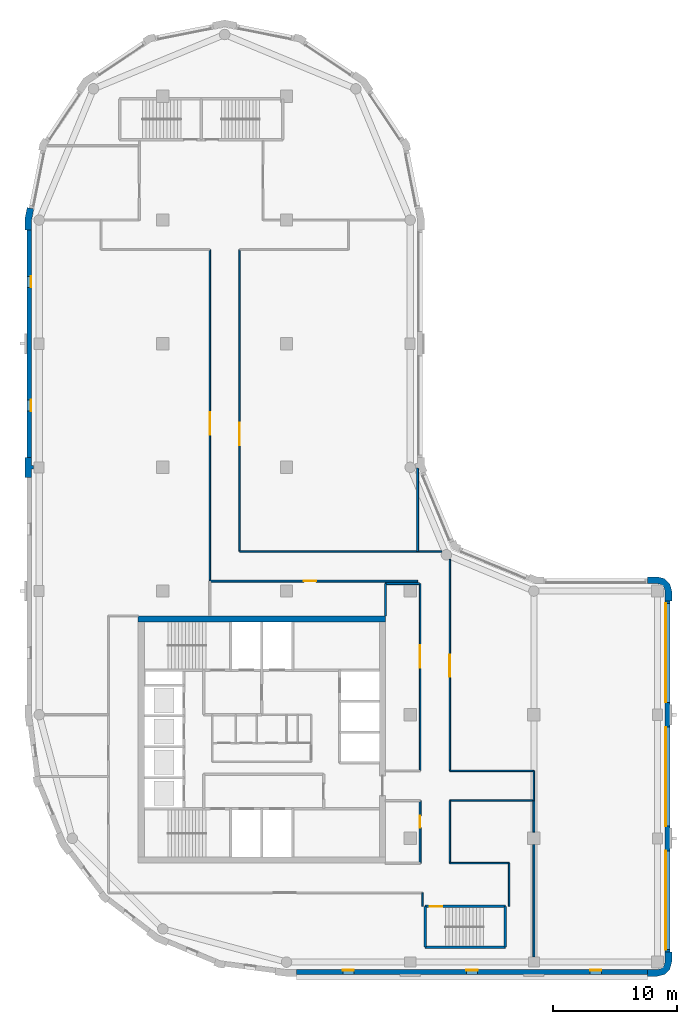
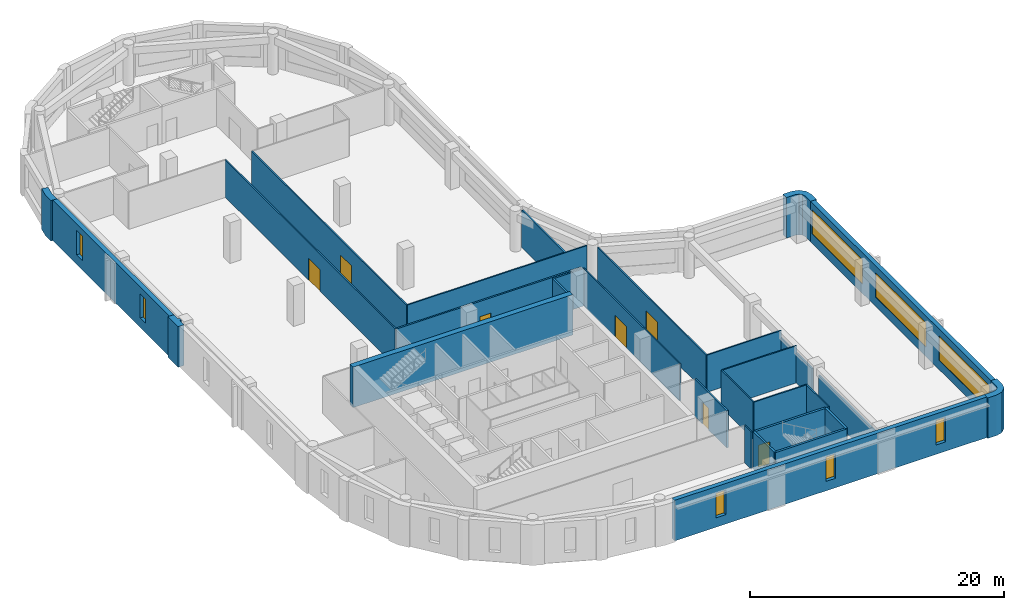
# One storey, part 4 of 8: 31 walls, 8 windows, 7 doors, 15 openings.
"""IFC4 building model written with IfcOpenShell, lengths in metres."""

from ifc_helpers import new_model, si_unit, direction, frame, frame_2d, origin, place, context, subcontext, project, spatial, polyline, rectangle, outline, extrude, material, layer, layer_set, type_object, element, fill, save


model = new_model("IFC4")

# Units and contexts
model_context = context("Model", 3, precision=1e-05, world=origin(), true_north=direction((0.0, 1.0)))
body_context = subcontext(model_context, "Body", "Model", "MODEL_VIEW")
ifc_project = project(units=[si_unit("LENGTHUNIT", "METRE"), si_unit("AREAUNIT", "SQUARE_METRE"), si_unit("VOLUMEUNIT", "CUBIC_METRE"), si_unit("PLANEANGLEUNIT", "RADIAN"), si_unit("MASSUNIT", "GRAM", prefix="KILO")], contexts=[model_context])

# Site, building, storey
site_placement = place(None, origin())
site = spatial("IfcSite", under=ifc_project, at=site_placement, CompositionType="ELEMENT")
building_placement = place(site_placement, origin())
building = spatial("IfcBuilding", under=site, at=building_placement, Name="Qaws Garden Tower", CompositionType="ELEMENT")
storey_placement = place(building_placement, frame((0.0, 0.0, 274.800048828125)))
storey = spatial("IfcBuildingStorey", under=building, at=storey_placement, Name="L66", CompositionType="ELEMENT", Elevation=274.800048828125)

# Walls
ifc_material_1 = material(Name="Buff clay facing brick masonry", Category="masonry")
ifc_layer_1 = layer(ifc_material_1, 0.550048828125)
ifc_layer_set_1 = layer_set([ifc_layer_1], Name="Buff clay facing brick masonry")
wall_type_1 = type_object("IfcWallType", Name="Buff brick corner pier 550 x 2400", PredefinedType="SOLIDWALL", material=ifc_layer_set_1)
placement = place(storey_placement, origin())
element("IfcWall", 1, at=placement, inside=storey, type_object=wall_type_1, Name="E-L66-pier-03", PredefinedType="SOLIDWALL", context=body_context, shape_type="SweptSolid", body=[
    extrude(outline(polyline([(49.199951171875, -1.0), (49.199951171875, -1.14990234375), (50.0, -1.14990234375), (50.574951171875, -0.995849609375), (50.995849609375, -0.574951171875), (51.14990234375, 0.0), (51.14990234375, 0.800048828125), (51.0, 0.800048828125), (50.60009765625, 0.800048828125), (50.60009765625, 0.0), (50.51953125, -0.300048828125), (50.300048828125, -0.51953125), (50.0, -0.60009765625), (49.199951171875, -0.60009765625), (49.199951171875, -1.0)])), origin(), (0.0, 0.0, 1.0), 3.89990234375),
])
element("IfcWall", 2, at=placement, inside=storey, type_object=wall_type_1, Name="E-L66-pier-06", PredefinedType="SOLIDWALL", context=body_context, shape_type="SweptSolid", body=[
    extrude(outline(polyline([(51.0, 29.199951171875), (51.14990234375, 29.199951171875), (51.14990234375, 30.0), (50.995849609375, 30.574951171875), (50.574951171875, 30.995849609375), (50.0, 31.14990234375), (49.199951171875, 31.14990234375), (49.199951171875, 31.0), (49.199951171875, 30.60009765625), (50.0, 30.60009765625), (50.300048828125, 30.51953125), (50.51953125, 30.300048828125), (50.60009765625, 30.0), (50.60009765625, 29.199951171875), (51.0, 29.199951171875)])), origin(), (0.0, 0.0, 1.0), 3.89990234375),
])

# Wall, openings, windows
ifc_material_2 = material(Name="Buff clay facing brick masonry", Category="masonry")
ifc_layer_2 = layer(ifc_material_2, 0.39990234375)
ifc_layer_set_2 = layer_set([ifc_layer_2], Name="Buff clay facing brick masonry")
wall_type_2 = type_object("IfcWallType", Name="Buff brick infill wall 400", PredefinedType="SOLIDWALL", material=ifc_layer_set_2)
wall_3_placement = place(storey_placement, frame((20.800048828125, -0.800048828125, 0.0), z_axis=(0.0, 0.0, 1.0), x_axis=(1.0, 0.0, 0.0)))
wall_3 = element("IfcWall", 3, at=wall_3_placement, inside=storey, type_object=wall_type_2, Name="E-L66-infill-00", PredefinedType="SOLIDWALL", context=body_context, shape_type="SweptSolid", body=[
    extrude(rectangle(XDim=28.39990234375, YDim=0.39990234375, at=frame_2d((14.199951171875, 0.0))), origin(), (0.0, 0.0, 1.0), 3.89990234375),
])
opening_1_placement = place(wall_3_placement, frame((3.75, 0.0, 0.89990234375)))
opening_1 = element("IfcOpeningElement", 4, at=opening_1_placement, cuts=wall_3, Name="Opening W09", PredefinedType="OPENING", context=body_context, shape_type="SweptSolid", body=[
    extrude(rectangle(XDim=0.89990234375, YDim=2.35009765625, at=frame_2d((0.449951171875, 1.175048828125))), frame((0.0, 0.2099609375, 0.0), z_axis=(0.0, -1.0, 0.0), x_axis=(1.0, 0.0, 0.0)), (0.0, 0.0, 1.0), 0.419921875),
])
opening_2_placement = place(wall_3_placement, frame((13.75, 0.0, 0.89990234375)))
opening_2 = element("IfcOpeningElement", 5, at=opening_2_placement, cuts=wall_3, Name="Opening W09", PredefinedType="OPENING", context=body_context, shape_type="SweptSolid", body=[
    extrude(rectangle(XDim=0.89990234375, YDim=2.35009765625, at=frame_2d((0.449951171875, 1.175048828125))), frame((0.0, 0.2099609375, 0.0), z_axis=(0.0, -1.0, 0.0), x_axis=(1.0, 0.0, 0.0)), (0.0, 0.0, 1.0), 0.419921875),
])
opening_3_placement = place(wall_3_placement, frame((23.75, 0.0, 0.89990234375)))
opening_3 = element("IfcOpeningElement", 6, at=opening_3_placement, cuts=wall_3, Name="Opening W09", PredefinedType="OPENING", context=body_context, shape_type="SweptSolid", body=[
    extrude(rectangle(XDim=0.89990234375, YDim=2.35009765625, at=frame_2d((0.449951171875, 1.175048828125))), frame((0.0, 0.2099609375, 0.0), z_axis=(0.0, -1.0, 0.0), x_axis=(1.0, 0.0, 0.0)), (0.0, 0.0, 1.0), 0.419921875),
])
ifc_material_3 = material(Name="Aluminium framed window, clear glazing", Category="aluminium")
window_type_1 = type_object("IfcWindowType", Name="Slit window 900 x 2350", PartitioningType="SINGLE_PANEL", PredefinedType="WINDOW", material=ifc_material_3)
window_1_placement = place(opening_1_placement, origin())
window_1 = element("IfcWindow", 7, at=window_1_placement, inside=storey, type_object=window_type_1, Name="E-L66-window-00-0", OverallHeight=2.35009765625, OverallWidth=0.89990234375, PartitioningType="SINGLE_PANEL", PredefinedType="WINDOW", context=body_context, shape_type="SweptSolid", body=[
    extrude(rectangle(XDim=0.89990234375, YDim=2.35009765625, at=frame_2d((0.449951171875, 1.175048828125))), frame((0.0, 0.159912109375, 0.0), z_axis=(0.0, -1.0, 0.0), x_axis=(1.0, 0.0, 0.0)), (0.0, 0.0, 1.0), 0.06005859375),
])
fill(opening_1, window_1)
window_2_placement = place(opening_2_placement, origin())
window_2 = element("IfcWindow", 8, at=window_2_placement, inside=storey, type_object=window_type_1, Name="E-L66-window-01-0", OverallHeight=2.35009765625, OverallWidth=0.89990234375, PartitioningType="SINGLE_PANEL", PredefinedType="WINDOW", context=body_context, shape_type="SweptSolid", body=[
    extrude(rectangle(XDim=0.89990234375, YDim=2.35009765625, at=frame_2d((0.449951171875, 1.175048828125))), frame((0.0, 0.159912109375, 0.0), z_axis=(0.0, -1.0, 0.0), x_axis=(1.0, 0.0, 0.0)), (0.0, 0.0, 1.0), 0.06005859375),
])
fill(opening_2, window_2)
window_3_placement = place(opening_3_placement, origin())
window_3 = element("IfcWindow", 9, at=window_3_placement, inside=storey, type_object=window_type_1, Name="E-L66-window-02-0", OverallHeight=2.35009765625, OverallWidth=0.89990234375, PartitioningType="SINGLE_PANEL", PredefinedType="WINDOW", context=body_context, shape_type="SweptSolid", body=[
    extrude(rectangle(XDim=0.89990234375, YDim=2.35009765625, at=frame_2d((0.449951171875, 1.175048828125))), frame((0.0, 0.159912109375, 0.0), z_axis=(0.0, -1.0, 0.0), x_axis=(1.0, 0.0, 0.0)), (0.0, 0.0, 1.0), 0.06005859375),
])
fill(opening_3, window_3)

wall_4_placement = place(storey_placement, frame((50.800048828125, 0.800048828125, 0.0), z_axis=(0.0, 0.0, 1.0), x_axis=(0.0, 1.0, 0.0)))
wall_4 = element("IfcWall", 10, at=wall_4_placement, inside=storey, type_object=wall_type_2, Name="E-L66-infill-03", PredefinedType="SOLIDWALL", context=body_context, shape_type="SweptSolid", body=[
    extrude(rectangle(XDim=28.39990234375, YDim=0.39990234375, at=frame_2d((14.199951171875, 0.0))), origin(), (0.0, 0.0, 1.0), 3.89990234375),
])
opening_4_placement = place(wall_4_placement, frame((0.199951171875, 0.0, 0.89990234375)))
opening_4 = element("IfcOpeningElement", 11, at=opening_4_placement, cuts=wall_4, Name="Opening W01", PredefinedType="OPENING", context=body_context, shape_type="SweptSolid", body=[
    extrude(rectangle(XDim=8.0, YDim=2.35009765625, at=frame_2d((4.0, 1.175048828125))), frame((0.0, 0.2099609375, 0.0), z_axis=(0.0, -1.0, 0.0), x_axis=(1.0, 0.0, 0.0)), (0.0, 0.0, 1.0), 0.419921875),
])
opening_5_placement = place(wall_4_placement, frame((10.199951171875, 0.0, 0.89990234375)))
opening_5 = element("IfcOpeningElement", 12, at=opening_5_placement, cuts=wall_4, Name="Opening W01", PredefinedType="OPENING", context=body_context, shape_type="SweptSolid", body=[
    extrude(rectangle(XDim=8.0, YDim=2.35009765625, at=frame_2d((4.0, 1.175048828125))), frame((0.0, 0.2099609375, 0.0), z_axis=(0.0, -1.0, 0.0), x_axis=(1.0, 0.0, 0.0)), (0.0, 0.0, 1.0), 0.419921875),
])
opening_6_placement = place(wall_4_placement, frame((20.199951171875, 0.0, 0.89990234375)))
opening_6 = element("IfcOpeningElement", 13, at=opening_6_placement, cuts=wall_4, Name="Opening W01", PredefinedType="OPENING", context=body_context, shape_type="SweptSolid", body=[
    extrude(rectangle(XDim=8.0, YDim=2.35009765625, at=frame_2d((4.0, 1.175048828125))), frame((0.0, 0.2099609375, 0.0), z_axis=(0.0, -1.0, 0.0), x_axis=(1.0, 0.0, 0.0)), (0.0, 0.0, 1.0), 0.419921875),
])
ifc_material_4 = material(Name="Aluminium framed window, clear glazing", Category="aluminium")
window_type_2 = type_object("IfcWindowType", Name="Ribbon window 8000 x 2350", PartitioningType="DOUBLE_PANEL_VERTICAL", PredefinedType="WINDOW", material=ifc_material_4)
window_4_placement = place(opening_4_placement, origin())
window_4 = element("IfcWindow", 14, at=window_4_placement, inside=storey, type_object=window_type_2, Name="E-L66-window-03-0", OverallHeight=2.35009765625, OverallWidth=8.0, PartitioningType="SINGLE_PANEL", PredefinedType="WINDOW", context=body_context, shape_type="SweptSolid", body=[
    extrude(rectangle(XDim=8.0, YDim=2.35009765625, at=frame_2d((4.0, 1.175048828125))), frame((0.0, 0.159912109375, 0.0), z_axis=(0.0, -1.0, 0.0), x_axis=(1.0, 0.0, 0.0)), (0.0, 0.0, 1.0), 0.06005859375),
])
fill(opening_4, window_4)
window_5_placement = place(opening_5_placement, origin())
window_5 = element("IfcWindow", 15, at=window_5_placement, inside=storey, type_object=window_type_2, Name="E-L66-window-04-0", OverallHeight=2.35009765625, OverallWidth=8.0, PartitioningType="SINGLE_PANEL", PredefinedType="WINDOW", context=body_context, shape_type="SweptSolid", body=[
    extrude(rectangle(XDim=8.0, YDim=2.35009765625, at=frame_2d((4.0, 1.175048828125))), frame((0.0, 0.159912109375, 0.0), z_axis=(0.0, -1.0, 0.0), x_axis=(1.0, 0.0, 0.0)), (0.0, 0.0, 1.0), 0.06005859375),
])
fill(opening_5, window_5)
window_6_placement = place(opening_6_placement, origin())
window_6 = element("IfcWindow", 16, at=window_6_placement, inside=storey, type_object=window_type_2, Name="E-L66-window-05-0", OverallHeight=2.35009765625, OverallWidth=8.0, PartitioningType="SINGLE_PANEL", PredefinedType="WINDOW", context=body_context, shape_type="SweptSolid", body=[
    extrude(rectangle(XDim=8.0, YDim=2.35009765625, at=frame_2d((4.0, 1.175048828125))), frame((0.0, 0.159912109375, 0.0), z_axis=(0.0, -1.0, 0.0), x_axis=(1.0, 0.0, 0.0)), (0.0, 0.0, 1.0), 0.06005859375),
])
fill(opening_6, window_6)

wall_5_placement = place(storey_placement, frame((-0.800048828125, 59.199951171875, 0.0), z_axis=(0.0, 0.0, 1.0), x_axis=(0.0, -1.0, 0.0)))
wall_5 = element("IfcWall", 17, at=wall_5_placement, inside=storey, type_object=wall_type_2, Name="E-L66-infill-19", PredefinedType="SOLIDWALL", context=body_context, shape_type="SweptSolid", body=[
    extrude(rectangle(XDim=18.39990234375, YDim=0.39990234375, at=frame_2d((9.199951171875, 0.0))), origin(), (0.0, 0.0, 1.0), 3.89990234375),
])
opening_7_placement = place(wall_5_placement, frame((3.75, 0.0, 0.89990234375)))
opening_7 = element("IfcOpeningElement", 18, at=opening_7_placement, cuts=wall_5, Name="Opening W09", PredefinedType="OPENING", context=body_context, shape_type="SweptSolid", body=[
    extrude(rectangle(XDim=0.89990234375, YDim=2.35009765625, at=frame_2d((0.449951171875, 1.175048828125))), frame((0.0, 0.2099609375, 0.0), z_axis=(0.0, -1.0, 0.0), x_axis=(1.0, 0.0, 0.0)), (0.0, 0.0, 1.0), 0.419921875),
])
opening_8_placement = place(wall_5_placement, frame((13.75, 0.0, 0.89990234375)))
opening_8 = element("IfcOpeningElement", 19, at=opening_8_placement, cuts=wall_5, Name="Opening W09", PredefinedType="OPENING", context=body_context, shape_type="SweptSolid", body=[
    extrude(rectangle(XDim=0.89990234375, YDim=2.35009765625, at=frame_2d((0.449951171875, 1.175048828125))), frame((0.0, 0.2099609375, 0.0), z_axis=(0.0, -1.0, 0.0), x_axis=(1.0, 0.0, 0.0)), (0.0, 0.0, 1.0), 0.419921875),
])
window_7_placement = place(opening_7_placement, origin())
window_7 = element("IfcWindow", 20, at=window_7_placement, inside=storey, type_object=window_type_1, Name="E-L66-window-19-0", OverallHeight=2.35009765625, OverallWidth=0.89990234375, PartitioningType="SINGLE_PANEL", PredefinedType="WINDOW", context=body_context, shape_type="SweptSolid", body=[
    extrude(rectangle(XDim=0.89990234375, YDim=2.35009765625, at=frame_2d((0.449951171875, 1.175048828125))), frame((0.0, 0.159912109375, 0.0), z_axis=(0.0, -1.0, 0.0), x_axis=(1.0, 0.0, 0.0)), (0.0, 0.0, 1.0), 0.06005859375),
])
fill(opening_7, window_7)
window_8_placement = place(opening_8_placement, origin())
window_8 = element("IfcWindow", 21, at=window_8_placement, inside=storey, type_object=window_type_1, Name="E-L66-window-20-0", OverallHeight=2.35009765625, OverallWidth=0.89990234375, PartitioningType="SINGLE_PANEL", PredefinedType="WINDOW", context=body_context, shape_type="SweptSolid", body=[
    extrude(rectangle(XDim=0.89990234375, YDim=2.35009765625, at=frame_2d((0.449951171875, 1.175048828125))), frame((0.0, 0.159912109375, 0.0), z_axis=(0.0, -1.0, 0.0), x_axis=(1.0, 0.0, 0.0)), (0.0, 0.0, 1.0), 0.06005859375),
])
fill(opening_8, window_8)

# Walls
ifc_material_5 = material(Name="Buff clay facing brick masonry", Category="masonry")
ifc_layer_3 = layer(ifc_material_5, 0.550048828125)
ifc_layer_set_3 = layer_set([ifc_layer_3], Name="Buff clay facing brick masonry")
wall_type_3 = type_object("IfcWallType", Name="Buff brick pier 550 x 1600", PredefinedType="SOLIDWALL", material=ifc_layer_set_3)
element("IfcWall", 22, at=placement, inside=storey, type_object=wall_type_3, Name="E-L66-pier-19", PredefinedType="SOLIDWALL", context=body_context, shape_type="SweptSolid", body=[
    extrude(outline(polyline([(-0.82470703125, 60.979736328125), (-0.971923828125, 61.009033203125), (-1.14990234375, 60.11328125), (-1.14990234375, 59.199951171875), (-1.0, 59.199951171875), (-0.60009765625, 59.199951171875), (-0.60009765625, 60.05908203125), (-0.432373046875, 60.901611328125), (-0.82470703125, 60.979736328125)])), origin(), (0.0, 0.0, 1.0), 3.89990234375),
])
element("IfcWall", 23, at=placement, inside=storey, type_object=wall_type_3, Name="E-L66-pier-21", PredefinedType="SOLIDWALL", context=body_context, shape_type="SweptSolid", body=[
    extrude(outline(polyline([(-0.60009765625, 39.199951171875), (-0.60009765625, 39.85009765625), (-0.449951171875, 39.85009765625), (-0.449951171875, 40.14990234375), (-0.60009765625, 40.14990234375), (-0.60009765625, 40.800048828125), (-1.0, 40.800048828125), (-1.14990234375, 40.800048828125), (-1.14990234375, 40.0), (-1.14990234375, 39.199951171875), (-1.0, 39.199951171875), (-0.60009765625, 39.199951171875)])), origin(), (0.0, 0.0, 1.0), 3.89990234375),
])
ifc_material_6 = material(Name="Concrete C60", Category="concrete")
ifc_layer_4 = layer(ifc_material_6, 0.199951171875)
ifc_layer_set_4 = layer_set([ifc_layer_4], Name="Concrete C60")
wall_type_4 = type_object("IfcWallType", Name="Core shaft wall 200 C60", PredefinedType="SHEAR", material=ifc_layer_set_4)
wall_8_placement = place(storey_placement, frame((31.199951171875, 1.199951171875, 0.0), z_axis=(0.0, 0.0, 1.0), x_axis=(1.0, 0.0, 0.0)))
element("IfcWall", 24, at=wall_8_placement, inside=storey, type_object=wall_type_4, Name="Shaft wall", PredefinedType="SHEAR", context=body_context, shape_type="SweptSolid", body=[
    extrude(rectangle(XDim=6.5, YDim=0.199951171875, at=frame_2d((3.25, 0.0))), origin(), (0.0, 0.0, 1.0), 3.579833984375),
])

# Wall, opening, door
wall_9_placement = place(storey_placement, frame((31.199951171875, 4.5, 0.0), z_axis=(0.0, 0.0, 1.0), x_axis=(1.0, 0.0, 0.0)))
wall_9 = element("IfcWall", 25, at=wall_9_placement, inside=storey, type_object=wall_type_4, Name="Shaft wall", PredefinedType="SHEAR", context=body_context, shape_type="SweptSolid", body=[
    extrude(rectangle(XDim=6.5, YDim=0.199951171875, at=frame_2d((3.25, 0.0))), origin(), (0.0, 0.0, 1.0), 3.579833984375),
])
opening_9_placement = place(wall_9_placement, frame((0.375, 0.0, 0.0)))
opening_9 = element("IfcOpeningElement", 26, at=opening_9_placement, cuts=wall_9, Name="Opening SD12", PredefinedType="OPENING", context=body_context, shape_type="SweptSolid", body=[
    extrude(rectangle(XDim=1.0, YDim=2.10009765625, at=frame_2d((0.5, 1.050048828125))), frame((0.0, 0.10986328125, 0.0), z_axis=(0.0, -1.0, 0.0), x_axis=(1.0, 0.0, 0.0)), (0.0, 0.0, 1.0), 0.219970703125),
])
ifc_material_7 = material(Name="Steel S235", Category="steel")
door_type_1 = type_object("IfcDoorType", Name="Stair door 1000x2100", OperationType="SINGLE_SWING_RIGHT", PredefinedType="DOOR", material=ifc_material_7)
door_1_placement = place(opening_9_placement, frame((1.0, 0.0, 0.0), z_axis=(0.0, 0.0, 1.0), x_axis=(-1.0, 0.0, 0.0)))
door_1 = element("IfcDoor", 27, at=door_1_placement, inside=storey, type_object=door_type_1, Name="Stair 5 door", OperationType="SINGLE_SWING_RIGHT", OverallHeight=2.10009765625, OverallWidth=1.0, PredefinedType="DOOR", context=body_context, shape_type="SweptSolid", body=[
    extrude(rectangle(XDim=1.0, YDim=2.10009765625, at=frame_2d((0.5, 1.050048828125))), frame((0.0, 0.02490234375, 0.0), z_axis=(0.0, -1.0, 0.0), x_axis=(1.0, 0.0, 0.0)), (0.0, 0.0, 1.0), 0.050048828125),
])
fill(opening_9, door_1)

# Walls
for number, where, z_axis, x_axis, name in (
    (28, (31.199951171875, 1.199951171875, 0.0), (0.0, 0.0, 1.0), (0.0, 1.0, 0.0), "Shaft wall"),
    (29, (37.699951171875, 1.199951171875, 0.0), (0.0, 0.0, 1.0), (0.0, 1.0, 0.0), "Shaft wall"),
):
    element("IfcWall", number, at=place(storey_placement, frame(where, z_axis=z_axis, x_axis=x_axis)), inside=storey, type_object=wall_type_4, Name=name, PredefinedType="SHEAR", context=body_context, shape_type="SweptSolid", body=[
        extrude(rectangle(XDim=3.300048828125, YDim=0.199951171875, at=frame_2d((1.64990234375, 0.0))), origin(), (0.0, 0.0, 1.0), 3.579833984375),
    ])
ifc_material_8 = material(Name="Concrete C60", Category="concrete")
ifc_layer_5 = layer(ifc_material_8, 0.5)
ifc_layer_set_5 = layer_set([ifc_layer_5], Name="Concrete C60")
wall_type_5 = type_object("IfcWallType", Name="Core wall 500 C60", PredefinedType="SHEAR", material=ifc_layer_set_5)
wall_10_placement = place(storey_placement, frame((28.0, 27.75, 0.0), z_axis=(0.0, 0.0, 1.0), x_axis=(-1.0, 0.0, 0.0)))
element("IfcWall", 30, at=wall_10_placement, inside=storey, type_object=wall_type_5, Name="Core wall L66 north", PredefinedType="SHEAR", context=body_context, shape_type="SweptSolid", body=[
    extrude(rectangle(XDim=20.0, YDim=0.5, at=frame_2d((10.0, 0.0))), origin(), (0.0, 0.0, 1.0), 3.89990234375),
])

# Wall, opening, door
ifc_material_9 = material(Name="Glass and aluminium framing", Category="aluminium")
ifc_layer_6 = layer(ifc_material_9, 0.1201171875)
ifc_layer_set_6 = layer_set([ifc_layer_6], Name="Glass and aluminium framing")
wall_type_6 = type_object("IfcWallType", Name="GLAZED PARTITION 120 EI 30", PredefinedType="PARTITIONING", material=ifc_layer_set_6)
wall_11_placement = place(storey_placement, frame((13.800048828125, 30.800048828125, 0.0), z_axis=(0.0, 0.0, 1.0), x_axis=(0.0, 1.0, 0.0)))
wall_11 = element("IfcWall", 31, at=wall_11_placement, inside=storey, type_object=wall_type_6, Name="O-L66-wall-021", PredefinedType="PARTITIONING", context=body_context, shape_type="SweptSolid", body=[
    extrude(rectangle(XDim=26.800048828125, YDim=0.1201171875, at=frame_2d((13.39990234375, 0.0))), origin(), (0.0, 0.0, 1.0), 3.579833984375),
])
opening_10_placement = place(wall_11_placement, frame((11.85009765625, 0.0, 0.0)))
opening_10 = element("IfcOpeningElement", 32, at=opening_10_placement, cuts=wall_11, Name="Opening C308", PredefinedType="OPENING", context=body_context, shape_type="SweptSolid", body=[
    extrude(rectangle(XDim=1.800048828125, YDim=2.10009765625, at=frame_2d((0.89990234375, 1.050048828125))), frame((0.0, 0.070068359375, 0.0), z_axis=(0.0, -1.0, 0.0), x_axis=(1.0, 0.0, 0.0)), (0.0, 0.0, 1.0), 0.14013671875),
])
ifc_material_10 = material(Name="Timber door leaf", Category="wood")
door_type_2 = type_object("IfcDoorType", Name="DOUBLE DOOR 1800 X 2100", OperationType="DOUBLE_DOOR_SINGLE_SWING", PredefinedType="DOOR", material=ifc_material_10)
door_2_placement = place(opening_10_placement, origin())
door_2 = element("IfcDoor", 33, at=door_2_placement, inside=storey, type_object=door_type_2, Name="O-L66-door-008", OperationType="DOUBLE_DOOR_SINGLE_SWING", OverallHeight=2.10009765625, OverallWidth=1.800048828125, PredefinedType="DOOR", context=body_context, shape_type="SweptSolid", body=[
    extrude(rectangle(XDim=1.800048828125, YDim=2.10009765625, at=frame_2d((0.89990234375, 1.050048828125))), frame((0.0, 0.02490234375, 0.0), z_axis=(0.0, -1.0, 0.0), x_axis=(1.0, 0.0, 0.0)), (0.0, 0.0, 1.0), 0.050048828125),
])
fill(opening_10, door_2)

wall_12_placement = place(storey_placement, frame((16.199951171875, 33.199951171875, 0.0), z_axis=(0.0, 0.0, 1.0), x_axis=(0.0, 1.0, 0.0)))
wall_12 = element("IfcWall", 34, at=wall_12_placement, inside=storey, type_object=wall_type_6, Name="O-L66-wall-022", PredefinedType="PARTITIONING", context=body_context, shape_type="SweptSolid", body=[
    extrude(rectangle(XDim=24.400146484375, YDim=0.1201171875, at=frame_2d((12.2001953125, 0.0))), origin(), (0.0, 0.0, 1.0), 3.579833984375),
])
opening_11_placement = place(wall_12_placement, frame((8.60009765625, 0.0, 0.0)))
opening_11 = element("IfcOpeningElement", 35, at=opening_11_placement, cuts=wall_12, Name="Opening C309", PredefinedType="OPENING", context=body_context, shape_type="SweptSolid", body=[
    extrude(rectangle(XDim=1.800048828125, YDim=2.10009765625, at=frame_2d((0.89990234375, 1.050048828125))), frame((0.0, 0.070068359375, 0.0), z_axis=(0.0, -1.0, 0.0), x_axis=(1.0, 0.0, 0.0)), (0.0, 0.0, 1.0), 0.14013671875),
])
door_3_placement = place(opening_11_placement, frame((1.800048828125, 0.0, 0.0), z_axis=(0.0, 0.0, 1.0), x_axis=(-1.0, 0.0, 0.0)))
door_3 = element("IfcDoor", 36, at=door_3_placement, inside=storey, type_object=door_type_2, Name="O-L66-door-009", OperationType="DOUBLE_DOOR_SINGLE_SWING", OverallHeight=2.10009765625, OverallWidth=1.800048828125, PredefinedType="DOOR", context=body_context, shape_type="SweptSolid", body=[
    extrude(rectangle(XDim=1.800048828125, YDim=2.10009765625, at=frame_2d((0.89990234375, 1.050048828125))), frame((0.0, 0.02490234375, 0.0), z_axis=(0.0, -1.0, 0.0), x_axis=(1.0, 0.0, 0.0)), (0.0, 0.0, 1.0), 0.050048828125),
])
fill(opening_11, door_3)

wall_13_placement = place(storey_placement, frame((30.800048828125, 15.449951171875, 0.0), z_axis=(0.0, 0.0, 1.0), x_axis=(0.0, 1.0, 0.0)))
wall_13 = element("IfcWall", 37, at=wall_13_placement, inside=storey, type_object=wall_type_6, Name="O-L66-wall-025", PredefinedType="PARTITIONING", context=body_context, shape_type="SweptSolid", body=[
    extrude(rectangle(XDim=15.150146484375, YDim=0.1201171875, at=frame_2d((7.5751953125, 0.0))), origin(), (0.0, 0.0, 1.0), 3.579833984375),
])
opening_12_placement = place(wall_13_placement, frame((8.35009765625, 0.0, 0.0)))
opening_12 = element("IfcOpeningElement", 38, at=opening_12_placement, cuts=wall_13, Name="Opening C305", PredefinedType="OPENING", context=body_context, shape_type="SweptSolid", body=[
    extrude(rectangle(XDim=1.800048828125, YDim=2.10009765625, at=frame_2d((0.89990234375, 1.050048828125))), frame((0.0, 0.070068359375, 0.0), z_axis=(0.0, -1.0, 0.0), x_axis=(1.0, 0.0, 0.0)), (0.0, 0.0, 1.0), 0.14013671875),
])
door_4_placement = place(opening_12_placement, origin())
door_4 = element("IfcDoor", 39, at=door_4_placement, inside=storey, type_object=door_type_2, Name="O-L66-door-005", OperationType="DOUBLE_DOOR_SINGLE_SWING", OverallHeight=2.10009765625, OverallWidth=1.800048828125, PredefinedType="DOOR", context=body_context, shape_type="SweptSolid", body=[
    extrude(rectangle(XDim=1.800048828125, YDim=2.10009765625, at=frame_2d((0.89990234375, 1.050048828125))), frame((0.0, 0.02490234375, 0.0), z_axis=(0.0, -1.0, 0.0), x_axis=(1.0, 0.0, 0.0)), (0.0, 0.0, 1.0), 0.050048828125),
])
fill(opening_12, door_4)

# Walls
wall_14_placement = place(storey_placement, frame((31.0, 4.5, 0.0), z_axis=(0.0, 0.0, 1.0), x_axis=(0.0, 1.0, 0.0)))
element("IfcWall", 40, at=wall_14_placement, inside=storey, type_object=wall_type_6, Name="O-L66-wall-026", PredefinedType="PARTITIONING", context=body_context, shape_type="SweptSolid", body=[
    extrude(rectangle(XDim=1.10009765625, YDim=0.1201171875, at=frame_2d((0.550048828125, 0.0))), origin(), (0.0, 0.0, 1.0), 3.579833984375),
])
wall_15_placement = place(storey_placement, frame((33.199951171875, 8.0, 0.0), z_axis=(0.0, 0.0, 1.0), x_axis=(0.0, 1.0, 0.0)))
element("IfcWall", 41, at=wall_15_placement, inside=storey, type_object=wall_type_6, Name="O-L66-wall-027", PredefinedType="PARTITIONING", context=body_context, shape_type="SweptSolid", body=[
    extrude(rectangle(XDim=5.050048828125, YDim=0.1201171875, at=frame_2d((2.52490234375, 0.0))), origin(), (0.0, 0.0, 1.0), 3.579833984375),
])

# Wall, opening, door
wall_16_placement = place(storey_placement, frame((33.199951171875, 15.449951171875, 0.0), z_axis=(0.0, 0.0, 1.0), x_axis=(0.0, 1.0, 0.0)))
wall_16 = element("IfcWall", 42, at=wall_16_placement, inside=storey, type_object=wall_type_6, Name="O-L66-wall-028", PredefinedType="PARTITIONING", context=body_context, shape_type="SweptSolid", body=[
    extrude(rectangle(XDim=17.110107421875, YDim=0.1201171875, at=frame_2d((8.55517578125, 0.0))), origin(), (0.0, 0.0, 1.0), 3.579833984375),
])
opening_13_placement = place(wall_16_placement, frame((7.60009765625, 0.0, 0.0)))
opening_13 = element("IfcOpeningElement", 43, at=opening_13_placement, cuts=wall_16, Name="Opening C306", PredefinedType="OPENING", context=body_context, shape_type="SweptSolid", body=[
    extrude(rectangle(XDim=1.800048828125, YDim=2.10009765625, at=frame_2d((0.89990234375, 1.050048828125))), frame((0.0, 0.070068359375, 0.0), z_axis=(0.0, -1.0, 0.0), x_axis=(1.0, 0.0, 0.0)), (0.0, 0.0, 1.0), 0.14013671875),
])
door_5_placement = place(opening_13_placement, frame((1.800048828125, 0.0, 0.0), z_axis=(0.0, 0.0, 1.0), x_axis=(-1.0, 0.0, 0.0)))
door_5 = element("IfcDoor", 44, at=door_5_placement, inside=storey, type_object=door_type_2, Name="O-L66-door-006", OperationType="DOUBLE_DOOR_SINGLE_SWING", OverallHeight=2.10009765625, OverallWidth=1.800048828125, PredefinedType="DOOR", context=body_context, shape_type="SweptSolid", body=[
    extrude(rectangle(XDim=1.800048828125, YDim=2.10009765625, at=frame_2d((0.89990234375, 1.050048828125))), frame((0.0, 0.02490234375, 0.0), z_axis=(0.0, -1.0, 0.0), x_axis=(1.0, 0.0, 0.0)), (0.0, 0.0, 1.0), 0.050048828125),
])
fill(opening_13, door_5)

# Walls
wall_17_placement = place(storey_placement, frame((38.0, 4.5, 0.0), z_axis=(0.0, 0.0, 1.0), x_axis=(0.0, 1.0, 0.0)))
element("IfcWall", 45, at=wall_17_placement, inside=storey, type_object=wall_type_6, Name="O-L66-wall-029", PredefinedType="PARTITIONING", context=body_context, shape_type="SweptSolid", body=[
    extrude(rectangle(XDim=3.5, YDim=0.1201171875, at=frame_2d((1.75, 0.0))), origin(), (0.0, 0.0, 1.0), 3.579833984375),
])
wall_18_placement = place(storey_placement, frame((40.0, 13.050048828125, 0.0), z_axis=(0.0, 0.0, 1.0), x_axis=(0.0, 1.0, 0.0)))
element("IfcWall", 46, at=wall_18_placement, inside=storey, type_object=wall_type_6, Name="O-L66-wall-030", PredefinedType="PARTITIONING", context=body_context, shape_type="SweptSolid", body=[
    extrude(rectangle(XDim=2.39990234375, YDim=0.1201171875, at=frame_2d((1.199951171875, 0.0))), origin(), (0.0, 0.0, 1.0), 2.8798828125),
])
wall_19_placement = place(storey_placement, frame((33.199951171875, 8.0, 0.0), z_axis=(0.0, 0.0, 1.0), x_axis=(1.0, 0.0, 0.0)))
element("IfcWall", 47, at=wall_19_placement, inside=storey, type_object=wall_type_6, Name="O-L66-wall-032", PredefinedType="PARTITIONING", context=body_context, shape_type="SweptSolid", body=[
    extrude(rectangle(XDim=4.800048828125, YDim=0.1201171875, at=frame_2d((2.39990234375, 0.0))), origin(), (0.0, 0.0, 1.0), 3.579833984375),
])
for number, where, z_axis, x_axis, name in (
    (48, (33.199951171875, 13.050048828125, 0.0), (0.0, 0.0, 1.0), (1.0, 0.0, 0.0), "O-L66-wall-033"),
    (49, (33.199951171875, 15.449951171875, 0.0), (0.0, 0.0, 1.0), (1.0, 0.0, 0.0), "O-L66-wall-035"),
):
    element("IfcWall", number, at=place(storey_placement, frame(where, z_axis=z_axis, x_axis=x_axis)), inside=storey, type_object=wall_type_6, Name=name, PredefinedType="PARTITIONING", context=body_context, shape_type="SweptSolid", body=[
        extrude(rectangle(XDim=6.800048828125, YDim=0.1201171875, at=frame_2d((3.39990234375, 0.0))), origin(), (0.0, 0.0, 1.0), 3.579833984375),
    ])
wall_20_placement = place(storey_placement, frame((16.199951171875, 33.199951171875, 0.0), z_axis=(0.0, 0.0, 1.0), x_axis=(1.0, 0.0, 0.0)))
element("IfcWall", 50, at=wall_20_placement, inside=storey, type_object=wall_type_6, Name="O-L66-wall-037", PredefinedType="PARTITIONING", context=body_context, shape_type="SweptSolid", body=[
    extrude(rectangle(XDim=16.360107421875, YDim=0.1201171875, at=frame_2d((8.18017578125, 0.0))), origin(), (0.0, 0.0, 1.0), 3.579833984375),
])
ifc_material_11 = material(Name="Gypsum board partition")
ifc_layer_7 = layer(ifc_material_11, 0.14990234375)
ifc_layer_set_7 = layer_set([ifc_layer_7], Name="Gypsum board partition")
wall_type_7 = type_object("IfcWallType", Name="PARTITION 150 EI 60", PredefinedType="PARTITIONING", material=ifc_layer_set_7)
wall_21_placement = place(storey_placement, frame((28.0, 28.0, 0.0), z_axis=(0.0, 0.0, 1.0), x_axis=(0.0, 1.0, 0.0)))
element("IfcWall", 51, at=wall_21_placement, inside=storey, type_object=wall_type_7, Name="O-L66-wall-004", PredefinedType="PARTITIONING", context=body_context, shape_type="SweptSolid", body=[
    extrude(rectangle(XDim=2.597900390625, YDim=0.14990234375, at=frame_2d((1.298828125, 0.0))), origin(), (0.0, 0.0, 1.0), 3.579833984375),
])
wall_22_placement = place(storey_placement, frame((30.60009765625, 33.199951171875, 0.0), z_axis=(0.0, 0.0, 1.0), x_axis=(0.0, 1.0, 0.0)))
element("IfcWall", 52, at=wall_22_placement, inside=storey, type_object=wall_type_7, Name="O-L66-wall-005", PredefinedType="PARTITIONING", context=body_context, shape_type="SweptSolid", body=[
    extrude(rectangle(XDim=6.73828125, YDim=0.14990234375, at=frame_2d((3.369140625, 0.0))), origin(), (0.0, 0.0, 1.0), 3.579833984375),
])

# Wall, opening, door
wall_23_placement = place(storey_placement, frame((30.800048828125, 8.0, 0.0), z_axis=(0.0, 0.0, 1.0), x_axis=(0.0, 1.0, 0.0)))
wall_23 = element("IfcWall", 53, at=wall_23_placement, inside=storey, type_object=wall_type_7, Name="O-L66-wall-006", PredefinedType="PARTITIONING", context=body_context, shape_type="SweptSolid", body=[
    extrude(rectangle(XDim=5.050048828125, YDim=0.14990234375, at=frame_2d((2.52490234375, 0.0))), origin(), (0.0, 0.0, 1.0), 3.579833984375),
])
opening_14_placement = place(wall_23_placement, frame((2.85009765625, 0.0, 0.0)))
opening_14 = element("IfcOpeningElement", 54, at=opening_14_placement, cuts=wall_23, Name="Opening C307", PredefinedType="OPENING", context=body_context, shape_type="SweptSolid", body=[
    extrude(rectangle(XDim=1.0, YDim=2.10009765625, at=frame_2d((0.5, 1.050048828125))), frame((0.0, 0.0849609375, 0.0), z_axis=(0.0, -1.0, 0.0), x_axis=(1.0, 0.0, 0.0)), (0.0, 0.0, 1.0), 0.169921875),
])
ifc_material_12 = material(Name="Timber door leaf", Category="wood")
door_type_3 = type_object("IfcDoorType", Name="TENANCY ENTRANCE DOOR 1000 X 2100", OperationType="SINGLE_SWING_LEFT", PredefinedType="DOOR", material=ifc_material_12)
door_6_placement = place(opening_14_placement, origin())
door_6 = element("IfcDoor", 55, at=door_6_placement, inside=storey, type_object=door_type_3, Name="O-L66-door-007", OperationType="SINGLE_SWING_RIGHT", OverallHeight=2.10009765625, OverallWidth=1.0, PredefinedType="DOOR", context=body_context, shape_type="SweptSolid", body=[
    extrude(rectangle(XDim=1.0, YDim=2.10009765625, at=frame_2d((0.5, 1.050048828125))), frame((0.0, 0.02490234375, 0.0), z_axis=(0.0, -1.0, 0.0), x_axis=(1.0, 0.0, 0.0)), (0.0, 0.0, 1.0), 0.050048828125),
])
fill(opening_14, door_6)

# Walls
wall_24_placement = place(storey_placement, frame((40.0, 0.39990234375, 0.0), z_axis=(0.0, 0.0, 1.0), x_axis=(0.0, 1.0, 0.0)))
element("IfcWall", 56, at=wall_24_placement, inside=storey, type_object=wall_type_7, Name="O-L66-wall-007", PredefinedType="PARTITIONING", context=body_context, shape_type="SweptSolid", body=[
    extrude(rectangle(XDim=9.10009765625, YDim=0.14990234375, at=frame_2d((4.550048828125, 0.0))), origin(), (0.0, 0.0, 1.0), 2.8798828125),
])
wall_25_placement = place(storey_placement, frame((40.0, 10.5, 0.0), z_axis=(0.0, 0.0, 1.0), x_axis=(0.0, 1.0, 0.0)))
element("IfcWall", 57, at=wall_25_placement, inside=storey, type_object=wall_type_7, Name="O-L66-wall-008", PredefinedType="PARTITIONING", context=body_context, shape_type="SweptSolid", body=[
    extrude(rectangle(XDim=2.550048828125, YDim=0.14990234375, at=frame_2d((1.27490234375, 0.0))), origin(), (0.0, 0.0, 1.0), 2.8798828125),
])
wall_26_placement = place(storey_placement, frame((28.001953125, 30.60009765625, 0.0), z_axis=(0.0, 0.0, 1.0), x_axis=(1.0, 0.0, 0.0)))
element("IfcWall", 58, at=wall_26_placement, inside=storey, type_object=wall_type_7, Name="O-L66-wall-013", PredefinedType="PARTITIONING", context=body_context, shape_type="SweptSolid", body=[
    extrude(rectangle(XDim=2.738037109375, YDim=0.14990234375, at=frame_2d((1.369140625, 0.0))), origin(), (0.0, 0.0, 1.0), 3.579833984375),
])

# Wall, opening, door
wall_27_placement = place(storey_placement, frame((13.802001953125, 30.800048828125, 0.0), z_axis=(0.0, 0.0, 1.0), x_axis=(1.0, 0.0, 0.0)))
wall_27 = element("IfcWall", 59, at=wall_27_placement, inside=storey, type_object=wall_type_7, Name="O-L66-wall-014", PredefinedType="PARTITIONING", context=body_context, shape_type="SweptSolid", body=[
    extrude(rectangle(XDim=16.798095703125, YDim=0.14990234375, at=frame_2d((8.39892578125, 0.0))), origin(), (0.0, 0.0, 1.0), 3.579833984375),
])
opening_15_placement = place(wall_27_placement, frame((7.60009765625, 0.0, 0.0)))
opening_15 = element("IfcOpeningElement", 60, at=opening_15_placement, cuts=wall_27, Name="Opening C303", PredefinedType="OPENING", context=body_context, shape_type="SweptSolid", body=[
    extrude(rectangle(XDim=1.0, YDim=2.10009765625, at=frame_2d((0.5, 1.050048828125))), frame((0.0, 0.0849609375, 0.0), z_axis=(0.0, -1.0, 0.0), x_axis=(1.0, 0.0, 0.0)), (0.0, 0.0, 1.0), 0.169921875),
])
door_7_placement = place(opening_15_placement, frame((1.0, 0.0, 0.0), z_axis=(0.0, 0.0, 1.0), x_axis=(-1.0, 0.0, 0.0)))
door_7 = element("IfcDoor", 61, at=door_7_placement, inside=storey, type_object=door_type_3, Name="O-L66-door-003", OperationType="SINGLE_SWING_LEFT", OverallHeight=2.10009765625, OverallWidth=1.0, PredefinedType="DOOR", context=body_context, shape_type="SweptSolid", body=[
    extrude(rectangle(XDim=1.0, YDim=2.10009765625, at=frame_2d((0.5, 1.050048828125))), frame((0.0, 0.02490234375, 0.0), z_axis=(0.0, -1.0, 0.0), x_axis=(1.0, 0.0, 0.0)), (0.0, 0.0, 1.0), 0.050048828125),
])
fill(opening_15, door_7)

save(model, "model.ifc")
